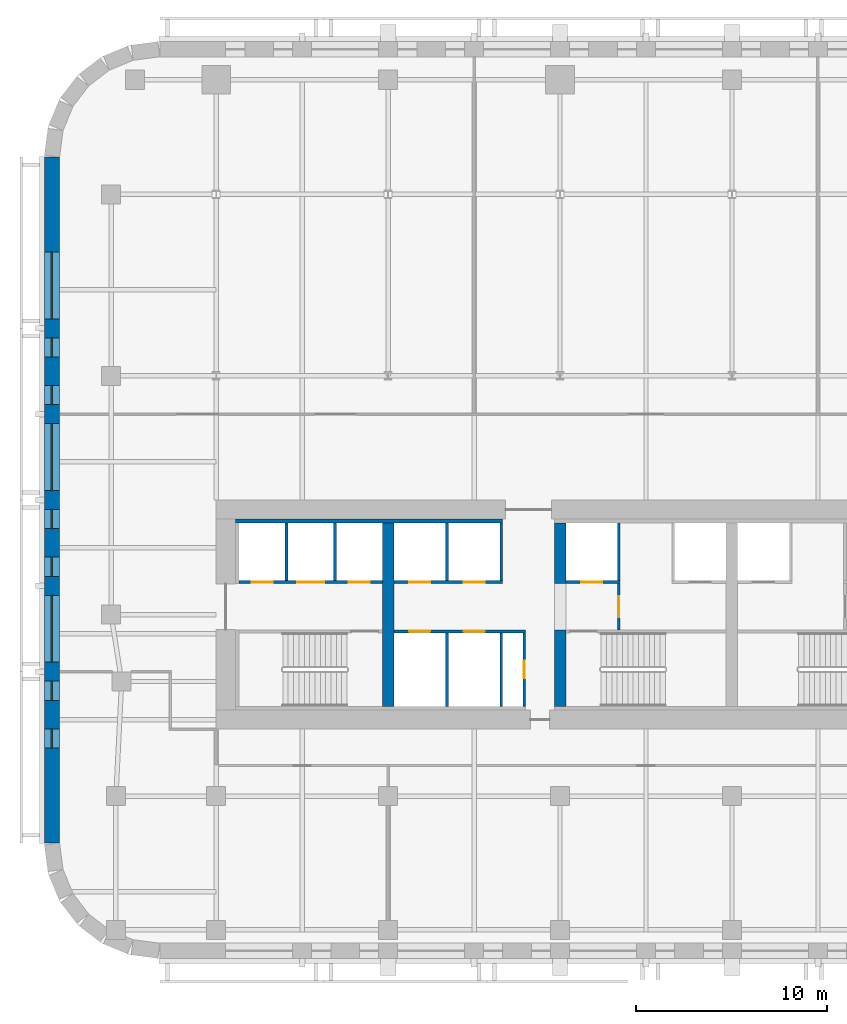
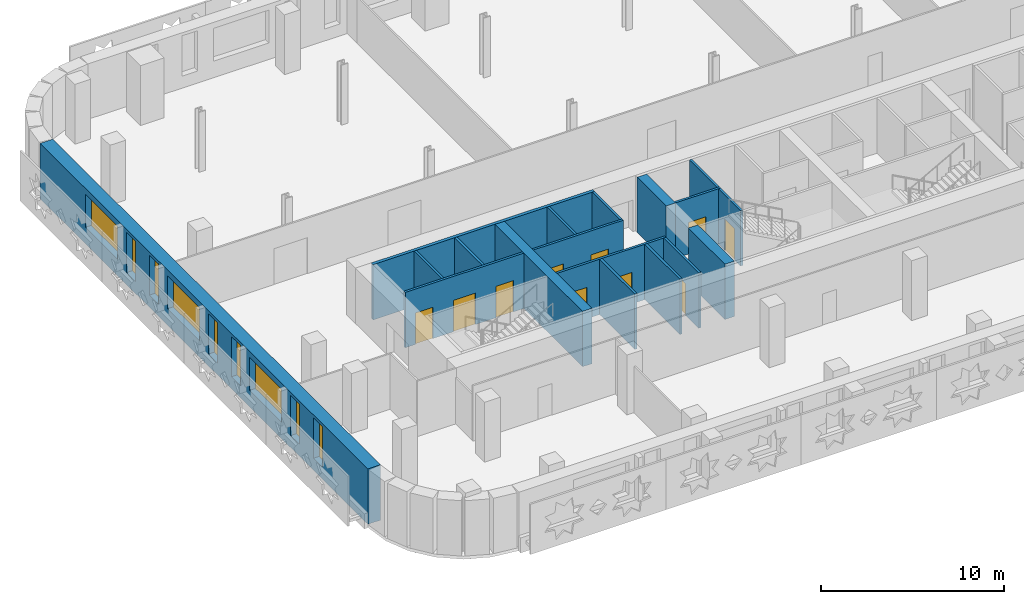
# One storey, part 3 of 10: 18 walls, 10 doors, 9 windows, 19 openings.
"""IFC4 building model written with IfcOpenShell, lengths in metres."""

from ifc_helpers import new_model, si_unit, direction, frame, frame_2d, origin, place, context, subcontext, project, spatial, rectangle, extrude, material, layer, layer_set, type_object, element, fill, save


model = new_model("IFC4")

# Units and contexts
model_context = context("Model", 3, precision=1e-05, world=origin(), true_north=direction((0.0, 1.0)))
body_context = subcontext(model_context, "Body", "Model", "MODEL_VIEW")
ifc_project = project(units=[si_unit("LENGTHUNIT", "METRE"), si_unit("AREAUNIT", "SQUARE_METRE"), si_unit("VOLUMEUNIT", "CUBIC_METRE"), si_unit("PLANEANGLEUNIT", "RADIAN"), si_unit("MASSUNIT", "GRAM", prefix="KILO")], contexts=[model_context])

# Site, building, storey
site_placement = place(None, origin())
site = spatial("IfcSite", under=ifc_project, at=site_placement, CompositionType="ELEMENT")
building_placement = place(site_placement, origin())
building = spatial("IfcBuilding", under=site, at=building_placement, Name="Zellij Exchange Tower", CompositionType="ELEMENT")
storey_placement = place(building_placement, frame((0.0, 0.0, 152.5)))
storey = spatial("IfcBuildingStorey", under=building, at=storey_placement, Name="L34", CompositionType="ELEMENT", Elevation=152.5)

# Walls
ifc_material_1 = material(Name="Concrete C70/85", Category="concrete")
ifc_layer_1 = layer(ifc_material_1, 0.60009765625)
ifc_layer_set_1 = layer_set([ifc_layer_1], Name="Concrete C70/85")
wall_type_1 = type_object("IfcWallType", Name="CORE-CW 600 C70/85", PredefinedType="SHEAR", material=ifc_layer_set_1)
wall_1_placement = place(storey_placement, frame((-18.0, -12.800048828125, 0.0), z_axis=(0.0, 0.0, 1.0), x_axis=(0.0, 1.0, 0.0)))
element("IfcWall", 1, at=wall_1_placement, inside=storey, type_object=wall_type_1, Name="Core cross wall x -18 L34", PredefinedType="SHEAR", context=body_context, shape_type="SweptSolid", body=[
    extrude(rectangle(XDim=9.60009765625, YDim=0.60009765625, at=frame_2d((4.800048828125, 0.0))), origin(), (0.0, 0.0, 1.0), 3.699951171875),
])
wall_2_placement = place(storey_placement, frame((-9.0, -12.800048828125, 0.0), z_axis=(0.0, 0.0, 1.0), x_axis=(0.0, 1.0, 0.0)))
element("IfcWall", 2, at=wall_2_placement, inside=storey, type_object=wall_type_1, Name="Core cross wall pier x -9 a L34", PredefinedType="SHEAR", context=body_context, shape_type="SweptSolid", body=[
    extrude(rectangle(XDim=4.0, YDim=0.60009765625, at=frame_2d((2.0, 0.0))), origin(), (0.0, 0.0, 1.0), 3.699951171875),
])
wall_3_placement = place(storey_placement, frame((-9.0, -6.375, 0.0), z_axis=(0.0, 0.0, 1.0), x_axis=(0.0, 1.0, 0.0)))
element("IfcWall", 3, at=wall_3_placement, inside=storey, type_object=wall_type_1, Name="Core cross wall pier x -9 b L34", PredefinedType="SHEAR", context=body_context, shape_type="SweptSolid", body=[
    extrude(rectangle(XDim=3.175048828125, YDim=0.60009765625, at=frame_2d((1.58740234375, 0.0))), origin(), (0.0, 0.0, 1.0), 3.699951171875),
])
ifc_material_2 = material(Name="Concrete C30/37", Category="concrete")
ifc_layer_2 = layer(ifc_material_2, 0.199951171875)
ifc_layer_set_2 = layer_set([ifc_layer_2], Name="Concrete C30/37")
wall_type_2 = type_object("IfcWallType", Name="CORE-LW 200 C30/37", PredefinedType="SHEAR", material=ifc_layer_set_2)
wall_4_placement = place(storey_placement, frame((-26.0, -3.10009765625, 0.0), z_axis=(0.0, 0.0, 1.0), x_axis=(1.0, 0.0, 0.0)))
element("IfcWall", 4, at=wall_4_placement, inside=storey, type_object=wall_type_2, Name="Core wall lining front.0 L34", PredefinedType="SHEAR", context=body_context, shape_type="SweptSolid", body=[
    extrude(rectangle(XDim=14.0, YDim=0.199951171875, at=frame_2d((7.0, 0.0))), origin(), (0.0, 0.0, 1.0), 3.699951171875),
])

# Wall, opening, door
ifc_material_3 = material(Name="Gypsum shaft wall system")
ifc_layer_3 = layer(ifc_material_3, 0.14990234375)
ifc_layer_set_3 = layer_set([ifc_layer_3], Name="Gypsum shaft wall system")
wall_type_3 = type_object("IfcWallType", Name="CORE-PW 150 Firefighting lobby wall", PredefinedType="PARTITIONING", material=ifc_layer_set_3)
wall_5_placement = place(storey_placement, frame((-5.925048828125, -8.800048828125, 0.0), z_axis=(0.0, 0.0, 1.0), x_axis=(0.0, 1.0, 0.0)))
wall_5 = element("IfcWall", 5, at=wall_5_placement, inside=storey, type_object=wall_type_3, Name="Firefighting lobby wall L34", PredefinedType="PARTITIONING", context=body_context, shape_type="SweptSolid", body=[
    extrude(rectangle(XDim=2.425048828125, YDim=0.14990234375, at=frame_2d((1.21240234375, 0.0))), origin(), (0.0, 0.0, 1.0), 3.699951171875),
])
opening_1_placement = place(wall_5_placement, frame((0.662109375, 0.0, 0.0)))
opening_1 = element("IfcOpeningElement", 6, at=opening_1_placement, cuts=wall_5, Name="Opening CA-18.15", PredefinedType="OPENING", context=body_context, shape_type="SweptSolid", body=[
    extrude(rectangle(XDim=1.10009765625, YDim=2.10009765625, at=frame_2d((0.550048828125, 1.050048828125))), frame((0.0, 0.0869140625, 0.0), z_axis=(0.0, -1.0, 0.0), x_axis=(1.0, 0.0, 0.0)), (0.0, 0.0, 1.0), 0.173828125),
])
ifc_material_4 = material(Name="Hollow metal fire door")
door_type_1 = type_object("IfcDoorType", Name="CORE-D F Firefighting lobby door 1100x2100 1 HR", OperationType="NOTDEFINED", PredefinedType="DOOR", material=ifc_material_4)
door_1_placement = place(opening_1_placement, origin())
door_1 = element("IfcDoor", 7, at=door_1_placement, inside=storey, type_object=door_type_1, Name="Firefighting lobby door CA-18.15", OperationType="SINGLE_SWING_LEFT", OverallHeight=2.10009765625, OverallWidth=1.10009765625, PredefinedType="DOOR", context=body_context, shape_type="SweptSolid", body=[
    extrude(rectangle(XDim=1.10009765625, YDim=2.10009765625, at=frame_2d((0.550048828125, 1.050048828125))), frame((0.0, 0.02490234375, 0.0), z_axis=(0.0, -1.0, 0.0), x_axis=(1.0, 0.0, 0.0)), (0.0, 0.0, 1.0), 0.050048828125),
])
fill(opening_1, door_1)

ifc_material_5 = material(Name="Gypsum board partition")
ifc_layer_4 = layer(ifc_material_5, 0.14990234375)
ifc_layer_set_4 = layer_set([ifc_layer_4], Name="Gypsum board partition")
wall_type_4 = type_object("IfcWallType", Name="CORE-PW 150 Lift lobby wall", PredefinedType="PARTITIONING", material=ifc_layer_set_4)
wall_6_placement = place(storey_placement, frame((-10.875, -12.800048828125, 0.0), z_axis=(0.0, 0.0, 1.0), x_axis=(0.0, 1.0, 0.0)))
wall_6 = element("IfcWall", 8, at=wall_6_placement, inside=storey, type_object=wall_type_4, Name="Lift lobby wall L34", PredefinedType="PARTITIONING", context=body_context, shape_type="SweptSolid", body=[
    extrude(rectangle(XDim=3.85009765625, YDim=0.14990234375, at=frame_2d((1.925048828125, 0.0))), origin(), (0.0, 0.0, 1.0), 3.699951171875),
])
opening_2_placement = place(wall_6_placement, frame((1.47509765625, 0.0, 0.0)))
opening_2 = element("IfcOpeningElement", 9, at=opening_2_placement, cuts=wall_6, Name="Opening CA-18.10", PredefinedType="OPENING", context=body_context, shape_type="SweptSolid", body=[
    extrude(rectangle(XDim=0.89990234375, YDim=2.10009765625, at=frame_2d((0.449951171875, 1.050048828125))), frame((0.0, 0.0869140625, 0.0), z_axis=(0.0, -1.0, 0.0), x_axis=(1.0, 0.0, 0.0)), (0.0, 0.0, 1.0), 0.173828125),
])
door_type_2 = type_object("IfcDoorType", Name="CORE-D RD Riser door 900x2100 1.5 HR", OperationType="NOTDEFINED", PredefinedType="DOOR", material=ifc_material_4)
door_2_placement = place(opening_2_placement, origin())
door_2 = element("IfcDoor", 10, at=door_2_placement, inside=storey, type_object=door_type_2, Name="Riser door CA-18.10", OperationType="SINGLE_SWING_RIGHT", OverallHeight=2.10009765625, OverallWidth=0.89990234375, PredefinedType="DOOR", context=body_context, shape_type="SweptSolid", body=[
    extrude(rectangle(XDim=0.89990234375, YDim=2.10009765625, at=frame_2d((0.449951171875, 1.050048828125))), frame((0.0, 0.02490234375, 0.0), z_axis=(0.0, -1.0, 0.0), x_axis=(1.0, 0.0, 0.0)), (0.0, 0.0, 1.0), 0.050048828125),
])
fill(opening_2, door_2)

# Walls
ifc_layer_5 = layer(ifc_material_3, 0.14990234375)
ifc_layer_set_5 = layer_set([ifc_layer_5], Name="Gypsum shaft wall system")
wall_type_5 = type_object("IfcWallType", Name="CORE-PW 150 Lift shaft wall", PredefinedType="PARTITIONING", material=ifc_layer_set_5)
for number, where, z_axis, x_axis, name in (
    (11, (-20.77490234375, -6.22509765625, 0.0), (0.0, 0.0, 1.0), (0.0, 1.0, 0.0), "Lift shaft wall L34"),
    (12, (-23.324951171875, -6.22509765625, 0.0), (0.0, 0.0, 1.0), (0.0, 1.0, 0.0), "Lift shaft wall L34"),
    (13, (-12.074951171875, -6.22509765625, 0.0), (0.0, 0.0, 1.0), (0.0, 1.0, 0.0), "Lift shaft wall L34"),
    (14, (-14.925048828125, -6.22509765625, 0.0), (0.0, 0.0, 1.0), (0.0, 1.0, 0.0), "Lift shaft wall L34"),
    (15, (-5.925048828125, -6.22509765625, 0.0), (0.0, 0.0, 1.0), (0.0, 1.0, 0.0), "Lift shaft wall L34"),
):
    element("IfcWall", number, at=place(storey_placement, frame(where, z_axis=z_axis, x_axis=x_axis)), inside=storey, type_object=wall_type_5, Name=name, PredefinedType="PARTITIONING", context=body_context, shape_type="SweptSolid", body=[
        extrude(rectangle(XDim=3.025146484375, YDim=0.14990234375, at=frame_2d((1.5126953125, 0.0))), origin(), (0.0, 0.0, 1.0), 3.699951171875),
    ])
for number, where, z_axis, x_axis, name in (
    (16, (-12.074951171875, -12.800048828125, 0.0), (0.0, 0.0, 1.0), (0.0, 1.0, 0.0), "Lift shaft wall L34"),
    (17, (-14.925048828125, -12.800048828125, 0.0), (0.0, 0.0, 1.0), (0.0, 1.0, 0.0), "Lift shaft wall L34"),
):
    element("IfcWall", number, at=place(storey_placement, frame(where, z_axis=z_axis, x_axis=x_axis)), inside=storey, type_object=wall_type_5, Name=name, PredefinedType="PARTITIONING", context=body_context, shape_type="SweptSolid", body=[
        extrude(rectangle(XDim=3.85009765625, YDim=0.14990234375, at=frame_2d((1.925048828125, 0.0))), origin(), (0.0, 0.0, 1.0), 3.699951171875),
    ])

# Wall, openings, doors
wall_7_placement = place(storey_placement, frame((-25.800048828125, -6.300048828125, 0.0), z_axis=(0.0, 0.0, 1.0), x_axis=(1.0, 0.0, 0.0)))
wall_7 = element("IfcWall", 18, at=wall_7_placement, inside=storey, type_object=wall_type_5, Name="Lift shaft wall L34", PredefinedType="PARTITIONING", context=body_context, shape_type="SweptSolid", body=[
    extrude(rectangle(XDim=7.5, YDim=0.14990234375, at=frame_2d((3.75, 0.0))), origin(), (0.0, 0.0, 1.0), 3.699951171875),
])
opening_3_placement = place(wall_7_placement, frame((0.64990234375, 0.0, 0.0)))
opening_3 = element("IfcOpeningElement", 19, at=opening_3_placement, cuts=wall_7, Name="Opening CA-18.02", PredefinedType="OPENING", context=body_context, shape_type="SweptSolid", body=[
    extrude(rectangle(XDim=1.10009765625, YDim=2.10009765625, at=frame_2d((0.550048828125, 1.050048828125))), frame((0.0, 0.0869140625, 0.0), z_axis=(0.0, -1.0, 0.0), x_axis=(1.0, 0.0, 0.0)), (0.0, 0.0, 1.0), 0.173828125),
])
opening_4_placement = place(wall_7_placement, frame((3.050048828125, 0.0, 0.0)))
opening_4 = element("IfcOpeningElement", 20, at=opening_4_placement, cuts=wall_7, Name="Opening CA-18.03", PredefinedType="OPENING", context=body_context, shape_type="SweptSolid", body=[
    extrude(rectangle(XDim=1.39990234375, YDim=2.10009765625, at=frame_2d((0.699951171875, 1.050048828125))), frame((0.0, 0.0869140625, 0.0), z_axis=(0.0, -1.0, 0.0), x_axis=(1.0, 0.0, 0.0)), (0.0, 0.0, 1.0), 0.173828125),
])
opening_5_placement = place(wall_7_placement, frame((5.75, 0.0, 0.0)))
opening_5 = element("IfcOpeningElement", 21, at=opening_5_placement, cuts=wall_7, Name="Opening CA-18.04", PredefinedType="OPENING", context=body_context, shape_type="SweptSolid", body=[
    extrude(rectangle(XDim=1.10009765625, YDim=2.10009765625, at=frame_2d((0.550048828125, 1.050048828125))), frame((0.0, 0.0869140625, 0.0), z_axis=(0.0, -1.0, 0.0), x_axis=(1.0, 0.0, 0.0)), (0.0, 0.0, 1.0), 0.173828125),
])
door_type_3 = type_object("IfcDoorType", Name="CORE-D LD Lift landing door 1100x2100 1.5 HR", OperationType="NOTDEFINED", PredefinedType="DOOR", material=ifc_material_4)
door_3_placement = place(opening_3_placement, origin())
door_3 = element("IfcDoor", 22, at=door_3_placement, inside=storey, type_object=door_type_3, Name="Lift landing door CA-18.02", OperationType="SLIDING_TO_RIGHT", OverallHeight=2.10009765625, OverallWidth=1.10009765625, PredefinedType="DOOR", context=body_context, shape_type="SweptSolid", body=[
    extrude(rectangle(XDim=1.10009765625, YDim=2.10009765625, at=frame_2d((0.550048828125, 1.050048828125))), frame((0.0, 0.02490234375, 0.0), z_axis=(0.0, -1.0, 0.0), x_axis=(1.0, 0.0, 0.0)), (0.0, 0.0, 1.0), 0.050048828125),
])
fill(opening_3, door_3)
door_4_placement = place(opening_5_placement, origin())
door_4 = element("IfcDoor", 23, at=door_4_placement, inside=storey, type_object=door_type_3, Name="Lift landing door CA-18.04", OperationType="SLIDING_TO_RIGHT", OverallHeight=2.10009765625, OverallWidth=1.10009765625, PredefinedType="DOOR", context=body_context, shape_type="SweptSolid", body=[
    extrude(rectangle(XDim=1.10009765625, YDim=2.10009765625, at=frame_2d((0.550048828125, 1.050048828125))), frame((0.0, 0.02490234375, 0.0), z_axis=(0.0, -1.0, 0.0), x_axis=(1.0, 0.0, 0.0)), (0.0, 0.0, 1.0), 0.050048828125),
])
fill(opening_5, door_4)
door_type_4 = type_object("IfcDoorType", Name="CORE-D LD2 Service lift landing door 1400x2100 1.5 HR", OperationType="NOTDEFINED", PredefinedType="DOOR", material=ifc_material_4)
door_5_placement = place(opening_4_placement, origin())
door_5 = element("IfcDoor", 24, at=door_5_placement, inside=storey, type_object=door_type_4, Name="Service lift landing door CA-18.03", OperationType="SLIDING_TO_LEFT", OverallHeight=2.10009765625, OverallWidth=1.39990234375, PredefinedType="DOOR", context=body_context, shape_type="SweptSolid", body=[
    extrude(rectangle(XDim=1.39990234375, YDim=2.10009765625, at=frame_2d((0.699951171875, 1.050048828125))), frame((0.0, 0.02490234375, 0.0), z_axis=(0.0, -1.0, 0.0), x_axis=(1.0, 0.0, 0.0)), (0.0, 0.0, 1.0), 0.050048828125),
])
fill(opening_4, door_5)

wall_8_placement = place(storey_placement, frame((-17.699951171875, -6.300048828125, 0.0), z_axis=(0.0, 0.0, 1.0), x_axis=(1.0, 0.0, 0.0)))
wall_8 = element("IfcWall", 25, at=wall_8_placement, inside=storey, type_object=wall_type_5, Name="Lift shaft wall L34", PredefinedType="PARTITIONING", context=body_context, shape_type="SweptSolid", body=[
    extrude(rectangle(XDim=5.699951171875, YDim=0.14990234375, at=frame_2d((2.85009765625, 0.0))), origin(), (0.0, 0.0, 1.0), 3.699951171875),
])
opening_6_placement = place(wall_8_placement, frame((0.800048828125, 0.0, 0.0)))
opening_6 = element("IfcOpeningElement", 26, at=opening_6_placement, cuts=wall_8, Name="Opening CA-18.07", PredefinedType="OPENING", context=body_context, shape_type="SweptSolid", body=[
    extrude(rectangle(XDim=1.10009765625, YDim=2.10009765625, at=frame_2d((0.550048828125, 1.050048828125))), frame((0.0, 0.0869140625, 0.0), z_axis=(0.0, -1.0, 0.0), x_axis=(1.0, 0.0, 0.0)), (0.0, 0.0, 1.0), 0.173828125),
])
opening_7_placement = place(wall_8_placement, frame((3.64990234375, 0.0, 0.0)))
opening_7 = element("IfcOpeningElement", 27, at=opening_7_placement, cuts=wall_8, Name="Opening CA-18.09", PredefinedType="OPENING", context=body_context, shape_type="SweptSolid", body=[
    extrude(rectangle(XDim=1.10009765625, YDim=2.10009765625, at=frame_2d((0.550048828125, 1.050048828125))), frame((0.0, 0.0869140625, 0.0), z_axis=(0.0, -1.0, 0.0), x_axis=(1.0, 0.0, 0.0)), (0.0, 0.0, 1.0), 0.173828125),
])
door_6_placement = place(opening_6_placement, origin())
door_6 = element("IfcDoor", 28, at=door_6_placement, inside=storey, type_object=door_type_3, Name="Lift landing door CA-18.07", OperationType="SLIDING_TO_LEFT", OverallHeight=2.10009765625, OverallWidth=1.10009765625, PredefinedType="DOOR", context=body_context, shape_type="SweptSolid", body=[
    extrude(rectangle(XDim=1.10009765625, YDim=2.10009765625, at=frame_2d((0.550048828125, 1.050048828125))), frame((0.0, 0.02490234375, 0.0), z_axis=(0.0, -1.0, 0.0), x_axis=(1.0, 0.0, 0.0)), (0.0, 0.0, 1.0), 0.050048828125),
])
fill(opening_6, door_6)
door_7_placement = place(opening_7_placement, origin())
door_7 = element("IfcDoor", 29, at=door_7_placement, inside=storey, type_object=door_type_3, Name="Lift landing door CA-18.09", OperationType="SLIDING_TO_LEFT", OverallHeight=2.10009765625, OverallWidth=1.10009765625, PredefinedType="DOOR", context=body_context, shape_type="SweptSolid", body=[
    extrude(rectangle(XDim=1.10009765625, YDim=2.10009765625, at=frame_2d((0.550048828125, 1.050048828125))), frame((0.0, 0.02490234375, 0.0), z_axis=(0.0, -1.0, 0.0), x_axis=(1.0, 0.0, 0.0)), (0.0, 0.0, 1.0), 0.050048828125),
])
fill(opening_7, door_7)

# Wall, opening, door
wall_9_placement = place(storey_placement, frame((-8.699951171875, -6.300048828125, 0.0), z_axis=(0.0, 0.0, 1.0), x_axis=(1.0, 0.0, 0.0)))
wall_9 = element("IfcWall", 30, at=wall_9_placement, inside=storey, type_object=wall_type_5, Name="Lift shaft wall L34", PredefinedType="PARTITIONING", context=body_context, shape_type="SweptSolid", body=[
    extrude(rectangle(XDim=2.849853515625, YDim=0.14990234375, at=frame_2d((1.4248046875, 0.0))), origin(), (0.0, 0.0, 1.0), 3.699951171875),
])
opening_8_placement = place(wall_9_placement, frame((0.800048828125, 0.0, 0.0)))
opening_8 = element("IfcOpeningElement", 31, at=opening_8_placement, cuts=wall_9, Name="Opening CA-18.14", PredefinedType="OPENING", context=body_context, shape_type="SweptSolid", body=[
    extrude(rectangle(XDim=1.10009765625, YDim=2.10009765625, at=frame_2d((0.550048828125, 1.050048828125))), frame((0.0, 0.0869140625, 0.0), z_axis=(0.0, -1.0, 0.0), x_axis=(1.0, 0.0, 0.0)), (0.0, 0.0, 1.0), 0.173828125),
])
door_8_placement = place(opening_8_placement, origin())
door_8 = element("IfcDoor", 32, at=door_8_placement, inside=storey, type_object=door_type_3, Name="Lift landing door CA-18.14", OperationType="SLIDING_TO_RIGHT", OverallHeight=2.10009765625, OverallWidth=1.10009765625, PredefinedType="DOOR", context=body_context, shape_type="SweptSolid", body=[
    extrude(rectangle(XDim=1.10009765625, YDim=2.10009765625, at=frame_2d((0.550048828125, 1.050048828125))), frame((0.0, 0.02490234375, 0.0), z_axis=(0.0, -1.0, 0.0), x_axis=(1.0, 0.0, 0.0)), (0.0, 0.0, 1.0), 0.050048828125),
])
fill(opening_8, door_8)

# Wall, openings, doors
wall_10_placement = place(storey_placement, frame((-17.699951171875, -8.875, 0.0), z_axis=(0.0, 0.0, 1.0), x_axis=(1.0, 0.0, 0.0)))
wall_10 = element("IfcWall", 33, at=wall_10_placement, inside=storey, type_object=wall_type_5, Name="Lift shaft wall L34", PredefinedType="PARTITIONING", context=body_context, shape_type="SweptSolid", body=[
    extrude(rectangle(XDim=6.89990234375, YDim=0.14990234375, at=frame_2d((3.449951171875, 0.0))), origin(), (0.0, 0.0, 1.0), 3.699951171875),
])
opening_9_placement = place(wall_10_placement, frame((0.800048828125, 0.0, 0.0)))
opening_9 = element("IfcOpeningElement", 34, at=opening_9_placement, cuts=wall_10, Name="Opening CA-18.06", PredefinedType="OPENING", context=body_context, shape_type="SweptSolid", body=[
    extrude(rectangle(XDim=1.10009765625, YDim=2.10009765625, at=frame_2d((0.550048828125, 1.050048828125))), frame((0.0, 0.0869140625, 0.0), z_axis=(0.0, -1.0, 0.0), x_axis=(1.0, 0.0, 0.0)), (0.0, 0.0, 1.0), 0.173828125),
])
opening_10_placement = place(wall_10_placement, frame((3.64990234375, 0.0, 0.0)))
opening_10 = element("IfcOpeningElement", 35, at=opening_10_placement, cuts=wall_10, Name="Opening CA-18.08", PredefinedType="OPENING", context=body_context, shape_type="SweptSolid", body=[
    extrude(rectangle(XDim=1.10009765625, YDim=2.10009765625, at=frame_2d((0.550048828125, 1.050048828125))), frame((0.0, 0.0869140625, 0.0), z_axis=(0.0, -1.0, 0.0), x_axis=(1.0, 0.0, 0.0)), (0.0, 0.0, 1.0), 0.173828125),
])
door_9_placement = place(opening_9_placement, origin())
door_9 = element("IfcDoor", 36, at=door_9_placement, inside=storey, type_object=door_type_3, Name="Lift landing door CA-18.06", OperationType="SLIDING_TO_RIGHT", OverallHeight=2.10009765625, OverallWidth=1.10009765625, PredefinedType="DOOR", context=body_context, shape_type="SweptSolid", body=[
    extrude(rectangle(XDim=1.10009765625, YDim=2.10009765625, at=frame_2d((0.550048828125, 1.050048828125))), frame((0.0, 0.02490234375, 0.0), z_axis=(0.0, -1.0, 0.0), x_axis=(1.0, 0.0, 0.0)), (0.0, 0.0, 1.0), 0.050048828125),
])
fill(opening_9, door_9)
door_10_placement = place(opening_10_placement, origin())
door_10 = element("IfcDoor", 37, at=door_10_placement, inside=storey, type_object=door_type_3, Name="Lift landing door CA-18.08", OperationType="SLIDING_TO_RIGHT", OverallHeight=2.10009765625, OverallWidth=1.10009765625, PredefinedType="DOOR", context=body_context, shape_type="SweptSolid", body=[
    extrude(rectangle(XDim=1.10009765625, YDim=2.10009765625, at=frame_2d((0.550048828125, 1.050048828125))), frame((0.0, 0.02490234375, 0.0), z_axis=(0.0, -1.0, 0.0), x_axis=(1.0, 0.0, 0.0)), (0.0, 0.0, 1.0), 0.050048828125),
])
fill(opening_10, door_10)

# Wall, openings, windows
ifc_material_6 = material(Name="Precast concrete C40/50", Category="concrete")
ifc_layer_6 = layer(ifc_material_6, 0.800048828125)
ifc_layer_set_6 = layer_set([ifc_layer_6], Name="Precast concrete C40/50")
wall_type_6 = type_object("IfcWallType", Name="ENV-EW1 Precast stone-piered wall 800", PredefinedType="SOLIDWALL", material=ifc_layer_set_6)
wall_11_placement = place(storey_placement, frame((-35.60009765625, 15.947509765625, 0.0), z_axis=(0.0, 0.0, 1.0), x_axis=(0.0, -1.0, 0.0)))
wall_11 = element("IfcWall", 38, at=wall_11_placement, inside=storey, type_object=wall_type_6, Name="fac.L34.21", PredefinedType="SOLIDWALL", context=body_context, shape_type="SweptSolid", body=[
    extrude(rectangle(XDim=35.89501953125, YDim=0.800048828125, at=frame_2d((17.947509765625, 0.0))), origin(), (0.0, 0.0, 1.0), 3.699951171875),
])
opening_11_placement = place(wall_11_placement, frame((4.9638671875, 0.0, 1.10009765625)))
opening_11 = element("IfcOpeningElement", 39, at=opening_11_placement, cuts=wall_11, Name="Opening FZ2.46", PredefinedType="OPENING", context=body_context, shape_type="SweptSolid", body=[
    extrude(rectangle(XDim=3.5, YDim=2.199951171875, at=frame_2d((1.75, 1.10009765625))), frame((0.0, 0.412109375, 0.0), z_axis=(0.0, -1.0, 0.0), x_axis=(1.0, 0.0, 0.0)), (0.0, 0.0, 1.0), 0.823974609375),
])
opening_12_placement = place(wall_11_placement, frame((9.45751953125, 0.0, 0.800048828125)))
opening_12 = element("IfcOpeningElement", 40, at=opening_12_placement, cuts=wall_11, Name="Opening FZ2.47", PredefinedType="OPENING", context=body_context, shape_type="SweptSolid", body=[
    extrude(rectangle(XDim=1.0, YDim=2.699951171875, at=frame_2d((0.5, 1.35009765625))), frame((0.0, 0.412109375, 0.0), z_axis=(0.0, -1.0, 0.0), x_axis=(1.0, 0.0, 0.0)), (0.0, 0.0, 1.0), 0.823974609375),
])
opening_13_placement = place(wall_11_placement, frame((11.95751953125, 0.0, 0.800048828125)))
opening_13 = element("IfcOpeningElement", 41, at=opening_13_placement, cuts=wall_11, Name="Opening FZ2.48", PredefinedType="OPENING", context=body_context, shape_type="SweptSolid", body=[
    extrude(rectangle(XDim=1.0, YDim=2.699951171875, at=frame_2d((0.5, 1.35009765625))), frame((0.0, 0.412109375, 0.0), z_axis=(0.0, -1.0, 0.0), x_axis=(1.0, 0.0, 0.0)), (0.0, 0.0, 1.0), 0.823974609375),
])
opening_14_placement = place(wall_11_placement, frame((13.950927734375, 0.0, 1.10009765625)))
opening_14 = element("IfcOpeningElement", 42, at=opening_14_placement, cuts=wall_11, Name="Opening FZ2.49", PredefinedType="OPENING", context=body_context, shape_type="SweptSolid", body=[
    extrude(rectangle(XDim=3.5, YDim=2.199951171875, at=frame_2d((1.75, 1.10009765625))), frame((0.0, 0.412109375, 0.0), z_axis=(0.0, -1.0, 0.0), x_axis=(1.0, 0.0, 0.0)), (0.0, 0.0, 1.0), 0.823974609375),
])
opening_15_placement = place(wall_11_placement, frame((18.4443359375, 0.0, 0.800048828125)))
opening_15 = element("IfcOpeningElement", 43, at=opening_15_placement, cuts=wall_11, Name="Opening FZ2.50", PredefinedType="OPENING", context=body_context, shape_type="SweptSolid", body=[
    extrude(rectangle(XDim=1.0, YDim=2.699951171875, at=frame_2d((0.5, 1.35009765625))), frame((0.0, 0.412109375, 0.0), z_axis=(0.0, -1.0, 0.0), x_axis=(1.0, 0.0, 0.0)), (0.0, 0.0, 1.0), 0.823974609375),
])
opening_16_placement = place(wall_11_placement, frame((20.9443359375, 0.0, 0.800048828125)))
opening_16 = element("IfcOpeningElement", 44, at=opening_16_placement, cuts=wall_11, Name="Opening FZ2.51", PredefinedType="OPENING", context=body_context, shape_type="SweptSolid", body=[
    extrude(rectangle(XDim=1.0, YDim=2.699951171875, at=frame_2d((0.5, 1.35009765625))), frame((0.0, 0.412109375, 0.0), z_axis=(0.0, -1.0, 0.0), x_axis=(1.0, 0.0, 0.0)), (0.0, 0.0, 1.0), 0.823974609375),
])
opening_17_placement = place(wall_11_placement, frame((22.937744140625, 0.0, 1.10009765625)))
opening_17 = element("IfcOpeningElement", 45, at=opening_17_placement, cuts=wall_11, Name="Opening FZ2.52", PredefinedType="OPENING", context=body_context, shape_type="SweptSolid", body=[
    extrude(rectangle(XDim=3.5, YDim=2.199951171875, at=frame_2d((1.75, 1.10009765625))), frame((0.0, 0.412109375, 0.0), z_axis=(0.0, -1.0, 0.0), x_axis=(1.0, 0.0, 0.0)), (0.0, 0.0, 1.0), 0.823974609375),
])
opening_18_placement = place(wall_11_placement, frame((27.43115234375, 0.0, 0.800048828125)))
opening_18 = element("IfcOpeningElement", 46, at=opening_18_placement, cuts=wall_11, Name="Opening FZ2.53", PredefinedType="OPENING", context=body_context, shape_type="SweptSolid", body=[
    extrude(rectangle(XDim=1.0, YDim=2.699951171875, at=frame_2d((0.5, 1.35009765625))), frame((0.0, 0.412109375, 0.0), z_axis=(0.0, -1.0, 0.0), x_axis=(1.0, 0.0, 0.0)), (0.0, 0.0, 1.0), 0.823974609375),
])
opening_19_placement = place(wall_11_placement, frame((29.93115234375, 0.0, 0.800048828125)))
opening_19 = element("IfcOpeningElement", 47, at=opening_19_placement, cuts=wall_11, Name="Opening FZ2.54", PredefinedType="OPENING", context=body_context, shape_type="SweptSolid", body=[
    extrude(rectangle(XDim=1.0, YDim=2.699951171875, at=frame_2d((0.5, 1.35009765625))), frame((0.0, 0.412109375, 0.0), z_axis=(0.0, -1.0, 0.0), x_axis=(1.0, 0.0, 0.0)), (0.0, 0.0, 1.0), 0.823974609375),
])
ifc_material_7 = material(Name="Aluminium frame with insulating glass", Category="aluminium")
window_type_1 = type_object("IfcWindowType", Name="ENV-W7 Window 3500x2200", PartitioningType="SINGLE_PANEL", PredefinedType="WINDOW", material=ifc_material_7)
window_1_placement = place(opening_11_placement, origin())
window_1 = element("IfcWindow", 48, at=window_1_placement, inside=storey, type_object=window_type_1, Name="Window FZ2.46", OverallHeight=2.199951171875, OverallWidth=3.5, PartitioningType="SINGLE_PANEL", PredefinedType="WINDOW", context=body_context, shape_type="SweptSolid", body=[
    extrude(rectangle(XDim=3.5, YDim=2.199951171875, at=frame_2d((1.75, 1.10009765625))), frame((0.0, 0.030029296875, 0.0), z_axis=(0.0, -1.0, 0.0), x_axis=(1.0, 0.0, 0.0)), (0.0, 0.0, 1.0), 0.06005859375),
])
fill(opening_11, window_1)
window_2_placement = place(opening_14_placement, origin())
window_2 = element("IfcWindow", 49, at=window_2_placement, inside=storey, type_object=window_type_1, Name="Window FZ2.49", OverallHeight=2.199951171875, OverallWidth=3.5, PartitioningType="SINGLE_PANEL", PredefinedType="WINDOW", context=body_context, shape_type="SweptSolid", body=[
    extrude(rectangle(XDim=3.5, YDim=2.199951171875, at=frame_2d((1.75, 1.10009765625))), frame((0.0, 0.030029296875, 0.0), z_axis=(0.0, -1.0, 0.0), x_axis=(1.0, 0.0, 0.0)), (0.0, 0.0, 1.0), 0.06005859375),
])
fill(opening_14, window_2)
window_3_placement = place(opening_17_placement, origin())
window_3 = element("IfcWindow", 50, at=window_3_placement, inside=storey, type_object=window_type_1, Name="Window FZ2.52", OverallHeight=2.199951171875, OverallWidth=3.5, PartitioningType="SINGLE_PANEL", PredefinedType="WINDOW", context=body_context, shape_type="SweptSolid", body=[
    extrude(rectangle(XDim=3.5, YDim=2.199951171875, at=frame_2d((1.75, 1.10009765625))), frame((0.0, 0.030029296875, 0.0), z_axis=(0.0, -1.0, 0.0), x_axis=(1.0, 0.0, 0.0)), (0.0, 0.0, 1.0), 0.06005859375),
])
fill(opening_17, window_3)
window_type_2 = type_object("IfcWindowType", Name="ENV-W8 Window 1000x2700", PartitioningType="SINGLE_PANEL", PredefinedType="WINDOW", material=ifc_material_7)
window_4_placement = place(opening_12_placement, origin())
window_4 = element("IfcWindow", 51, at=window_4_placement, inside=storey, type_object=window_type_2, Name="Window FZ2.47", OverallHeight=2.699951171875, OverallWidth=1.0, PartitioningType="SINGLE_PANEL", PredefinedType="WINDOW", context=body_context, shape_type="SweptSolid", body=[
    extrude(rectangle(XDim=1.0, YDim=2.699951171875, at=frame_2d((0.5, 1.35009765625))), frame((0.0, 0.030029296875, 0.0), z_axis=(0.0, -1.0, 0.0), x_axis=(1.0, 0.0, 0.0)), (0.0, 0.0, 1.0), 0.06005859375),
])
fill(opening_12, window_4)
window_5_placement = place(opening_13_placement, origin())
window_5 = element("IfcWindow", 52, at=window_5_placement, inside=storey, type_object=window_type_2, Name="Window FZ2.48", OverallHeight=2.699951171875, OverallWidth=1.0, PartitioningType="SINGLE_PANEL", PredefinedType="WINDOW", context=body_context, shape_type="SweptSolid", body=[
    extrude(rectangle(XDim=1.0, YDim=2.699951171875, at=frame_2d((0.5, 1.35009765625))), frame((0.0, 0.030029296875, 0.0), z_axis=(0.0, -1.0, 0.0), x_axis=(1.0, 0.0, 0.0)), (0.0, 0.0, 1.0), 0.06005859375),
])
fill(opening_13, window_5)
window_6_placement = place(opening_15_placement, origin())
window_6 = element("IfcWindow", 53, at=window_6_placement, inside=storey, type_object=window_type_2, Name="Window FZ2.50", OverallHeight=2.699951171875, OverallWidth=1.0, PartitioningType="SINGLE_PANEL", PredefinedType="WINDOW", context=body_context, shape_type="SweptSolid", body=[
    extrude(rectangle(XDim=1.0, YDim=2.699951171875, at=frame_2d((0.5, 1.35009765625))), frame((0.0, 0.030029296875, 0.0), z_axis=(0.0, -1.0, 0.0), x_axis=(1.0, 0.0, 0.0)), (0.0, 0.0, 1.0), 0.06005859375),
])
fill(opening_15, window_6)
window_7_placement = place(opening_16_placement, origin())
window_7 = element("IfcWindow", 54, at=window_7_placement, inside=storey, type_object=window_type_2, Name="Window FZ2.51", OverallHeight=2.699951171875, OverallWidth=1.0, PartitioningType="SINGLE_PANEL", PredefinedType="WINDOW", context=body_context, shape_type="SweptSolid", body=[
    extrude(rectangle(XDim=1.0, YDim=2.699951171875, at=frame_2d((0.5, 1.35009765625))), frame((0.0, 0.030029296875, 0.0), z_axis=(0.0, -1.0, 0.0), x_axis=(1.0, 0.0, 0.0)), (0.0, 0.0, 1.0), 0.06005859375),
])
fill(opening_16, window_7)
window_8_placement = place(opening_18_placement, origin())
window_8 = element("IfcWindow", 55, at=window_8_placement, inside=storey, type_object=window_type_2, Name="Window FZ2.53", OverallHeight=2.699951171875, OverallWidth=1.0, PartitioningType="SINGLE_PANEL", PredefinedType="WINDOW", context=body_context, shape_type="SweptSolid", body=[
    extrude(rectangle(XDim=1.0, YDim=2.699951171875, at=frame_2d((0.5, 1.35009765625))), frame((0.0, 0.030029296875, 0.0), z_axis=(0.0, -1.0, 0.0), x_axis=(1.0, 0.0, 0.0)), (0.0, 0.0, 1.0), 0.06005859375),
])
fill(opening_18, window_8)
window_9_placement = place(opening_19_placement, origin())
window_9 = element("IfcWindow", 56, at=window_9_placement, inside=storey, type_object=window_type_2, Name="Window FZ2.54", OverallHeight=2.699951171875, OverallWidth=1.0, PartitioningType="SINGLE_PANEL", PredefinedType="WINDOW", context=body_context, shape_type="SweptSolid", body=[
    extrude(rectangle(XDim=1.0, YDim=2.699951171875, at=frame_2d((0.5, 1.35009765625))), frame((0.0, 0.030029296875, 0.0), z_axis=(0.0, -1.0, 0.0), x_axis=(1.0, 0.0, 0.0)), (0.0, 0.0, 1.0), 0.06005859375),
])
fill(opening_19, window_9)

save(model, "model.ifc")
